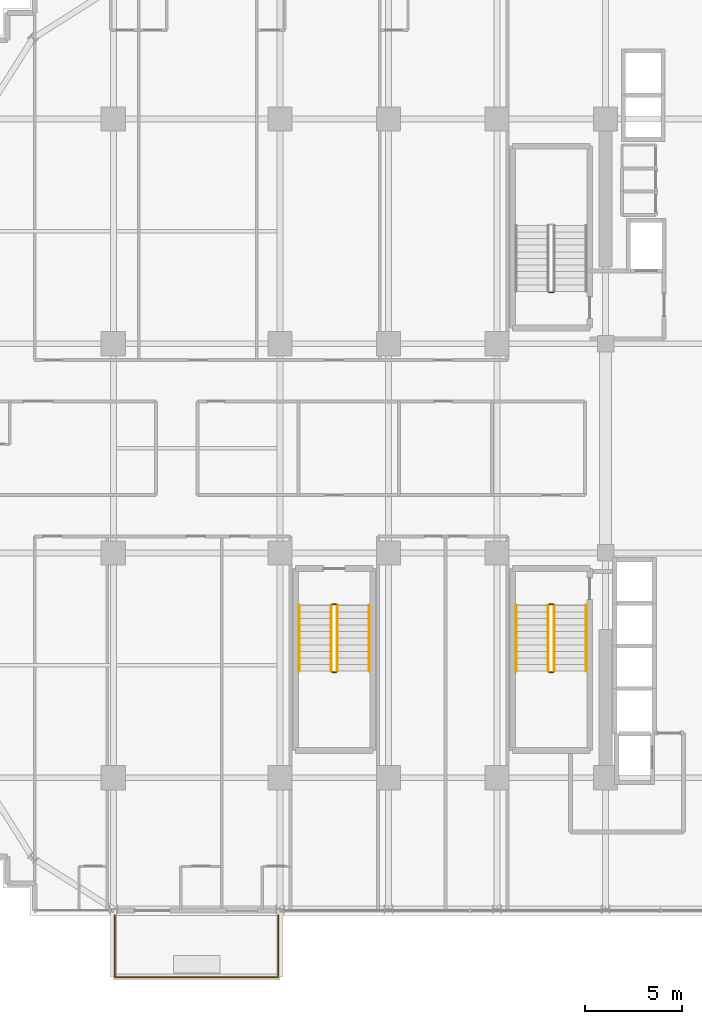
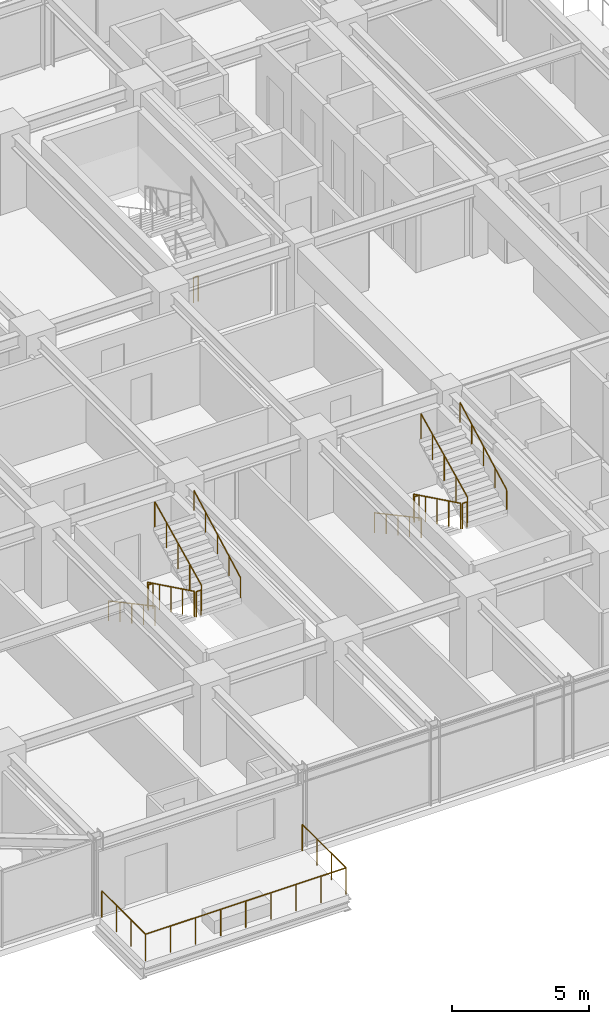
# One storey, part 31 of 33: 14 railings.
"""IFC4 building model written with IfcOpenShell, lengths in metres."""

import ifcopenshell
import ifcopenshell.guid

model = None  # the IFC model being written
_history = None  # IfcOwnerHistory: only IFC2X3 demands one
_inside = {}  # id of a spatial element -> (the spatial element, [elements in it])
_under = {}  # id of a project, library or spatial element -> (it, [spatial elements below it])
_declared = {}  # id of a project -> (the project, [libraries it declares])
_typed = {}  # id of a type object -> (the type object, [elements of that type])
_made_of = {}  # id of a material, layer set ... -> (it, [elements and type objects made of it])


def new_model(schema):
    """Start an empty IFC model of exactly this schema.

    Asked for "IFC4X3", IfcOpenShell would pick the latest addendum, in which some entities
    have other attributes; the version numbers below select the first issue.
    IFC2X3 requires an IfcOwnerHistory on every rooted entity: one is made here for all.
    """
    global model, _history
    if schema == "IFC4X3":
        model = ifcopenshell.file(schema_version=(4, 3, 0, 0))
    else:
        model = ifcopenshell.file(schema=schema)
    _inside.clear()
    _under.clear()
    _declared.clear()
    _typed.clear()
    _made_of.clear()
    _history = None
    if model.schema == "IFC2X3":
        org = make("IfcOrganization", Name="unknown")
        user = make(
            "IfcPersonAndOrganization",
            ThePerson=make("IfcPerson", FamilyName="unknown"),
            TheOrganization=org,
        )
        app = make(
            "IfcApplication",
            ApplicationDeveloper=org,
            Version="unknown",
            ApplicationFullName="unknown",
            ApplicationIdentifier="unknown",
        )
        _history = make(
            "IfcOwnerHistory",
            OwningUser=user,
            OwningApplication=app,
            ChangeAction="ADDED",
            CreationDate=0,
        )
    return model


def make(cls, **values):
    """One entity of the class cls with the attributes given. An attribute that is None is left unset."""
    return model.create_entity(
        cls, **{name: value for name, value in values.items() if value is not None}
    )


def rooted(cls, **values):
    """An entity with a GlobalId (a new one), such as an element, a storey or a relation."""
    return make(cls, GlobalId=ifcopenshell.guid.new(), OwnerHistory=_history, **values)


def si_unit(unit_type, name, prefix=None):
    """IfcSIUnit, for example si_unit("LENGTHUNIT", "METRE", prefix="MILLI")."""
    return make("IfcSIUnit", UnitType=unit_type, Prefix=prefix, Name=name)


def assignment(units):
    """IfcUnitAssignment: the units of a project."""
    return None if units is None else make("IfcUnitAssignment", Units=units)


def point(xyz):
    """IfcCartesianPoint."""
    return None if xyz is None else make("IfcCartesianPoint", Coordinates=xyz)


def direction(xyz):
    """IfcDirection."""
    return None if xyz is None else make("IfcDirection", DirectionRatios=xyz)


def frame(location, z_axis=None, x_axis=None):
    """IfcAxis2Placement3D, a coordinate frame: its origin and axes. An axis left out is left unset."""
    return make(
        "IfcAxis2Placement3D",
        Location=point(location),
        Axis=direction(z_axis),
        RefDirection=direction(x_axis),
    )


def frame_2d(location, x_axis=None):
    """IfcAxis2Placement2D, a coordinate frame in the plane: its origin and x axis."""
    return make(
        "IfcAxis2Placement2D", Location=point(location), RefDirection=direction(x_axis)
    )


def origin():
    """The frame at (0, 0, 0) with its axes left unset."""
    return frame((0.0, 0.0, 0.0))


def origin_2d():
    """The frame at (0, 0) in the plane with its x axis left unset."""
    return frame_2d((0.0, 0.0))


def place(relative_to, where):
    """IfcLocalPlacement: puts the frame where relative to a parent placement (None: the world)."""
    return make(
        "IfcLocalPlacement", PlacementRelTo=relative_to, RelativePlacement=where
    )


def context(
    kind, dimensions, precision=None, world=None, true_north=None, identifier=None
):
    """IfcGeometricRepresentationContext, for example the 3D "Model" context."""
    return make(
        "IfcGeometricRepresentationContext",
        ContextIdentifier=identifier,
        ContextType=kind,
        CoordinateSpaceDimension=dimensions,
        Precision=precision,
        WorldCoordinateSystem=world,
        TrueNorth=true_north,
    )


def subcontext(parent, identifier, kind, view, scale=None):
    """IfcGeometricRepresentationSubContext, for example "Body" below "Model"."""
    return make(
        "IfcGeometricRepresentationSubContext",
        ContextIdentifier=identifier,
        ContextType=kind,
        ParentContext=parent,
        TargetScale=scale,
        TargetView=view,
    )


def project(units=None, contexts=None):
    """IfcProject with its units and contexts."""
    return rooted(
        "IfcProject",
        Name="project",
        RepresentationContexts=contexts,
        UnitsInContext=assignment(units),
    )


def spatial(cls, under=None, at=None, **own):
    """A site, building, storey or space (cls), placed at a placement, below another one or the project."""
    s = rooted(cls, ObjectPlacement=at, **own)
    if under is not None:
        _under.setdefault(under.id(), (under, []))[1].append(s)
    return s


def profile(cls, at=None, kind="AREA", **sizes):
    """A parametric profile (cls). Its sizes go by their IFC names, for example OverallWidth=200.0."""
    return make(cls, ProfileType=kind, Position=at, **sizes)


def circle(**sizes):
    """IfcCircleProfileDef."""
    return profile("IfcCircleProfileDef", **sizes)


def extrude(swept, where, along, depth):
    """IfcExtrudedAreaSolid: the profile swept, set in the frame where, extruded along a direction by depth."""
    return make(
        "IfcExtrudedAreaSolid",
        SweptArea=swept,
        Position=where,
        ExtrudedDirection=direction(along),
        Depth=depth,
    )


def shape(context_of_items, identifier, shape_type, items):
    """IfcShapeRepresentation: the items that make up one representation, for example the "Body"."""
    return make(
        "IfcShapeRepresentation",
        ContextOfItems=context_of_items,
        RepresentationIdentifier=identifier,
        RepresentationType=shape_type,
        Items=items,
    )


def material(Name=None, Category=None):
    """IfcMaterial."""
    return make("IfcMaterial", Name=Name, Category=Category)


def made_of(thing, what):
    """Note that an element or type object is made of a material, layer set ...; save() writes the relation."""
    if what is not None:
        _made_of.setdefault(what.id(), (what, []))[1].append(thing)
    return thing


def type_object(cls, material=None, **own):
    """A type object (cls), such as IfcWallType, which elements share."""
    return made_of(rooted(cls, **own), material)


def element(
    cls,
    number,
    at=None,
    inside=None,
    cuts=None,
    type_object=None,
    material=None,
    context=None,
    identifier="Body",
    shape_type=None,
    held_by="IfcProductDefinitionShape",
    body=None,
    shapes=None,
    **own,
):
    """One element of the class cls, such as IfcWall. Its Tag is "e" and its number.

    at: its placement. inside: the storey or other place that contains it. cuts: it is an
    opening in that element (IfcRelVoidsElement). A single representation is given by context,
    identifier, shape_type and body (its items); several are given by shapes. held_by: the class
    of the entity that holds the representations. save() writes the other relations.
    """
    e = rooted(cls, Tag="e%d" % number, ObjectPlacement=at, **own)
    if body is not None:
        shapes = [shape(context, identifier, shape_type, body)]
    if shapes is not None:
        e.Representation = make(held_by, Representations=shapes)
    if inside is not None:
        _inside.setdefault(inside.id(), (inside, []))[1].append(e)
    if cuts is not None:
        rooted(
            "IfcRelVoidsElement", RelatingBuildingElement=cuts, RelatedOpeningElement=e
        )
    if type_object is not None:
        _typed.setdefault(type_object.id(), (type_object, []))[1].append(e)
    return made_of(e, material)


def aggregate(whole, parts):
    """IfcRelAggregates: a whole, such as a stair, and the parts it consists of."""
    return rooted("IfcRelAggregates", RelatingObject=whole, RelatedObjects=parts)


def save(model, path):
    """Write the relations noted so far, then the file.

    IfcRelAggregates (storeys below a building ...), IfcRelContainedInSpatialStructure (elements
    in a storey), IfcRelDefinesByType, IfcRelAssociatesMaterial and IfcRelDeclares: one each for
    every whole, place, type object, material and project.
    """
    for whole, parts in _under.values():
        aggregate(whole, parts)
    for where, things in _inside.values():
        rooted(
            "IfcRelContainedInSpatialStructure",
            RelatedElements=things,
            RelatingStructure=where,
        )
    for kind, things in _typed.values():
        rooted("IfcRelDefinesByType", RelatedObjects=things, RelatingType=kind)
    for what, things in _made_of.values():
        rooted("IfcRelAssociatesMaterial", RelatedObjects=things, RelatingMaterial=what)
    for by, libraries in _declared.values():
        rooted("IfcRelDeclares", RelatingContext=by, RelatedDefinitions=libraries)
    model.write(path)


model = new_model("IFC4")

# Units and contexts
model_context = context("Model", 3, precision=1e-05, world=origin(), true_north=direction((0.0, 1.0)))
body_context = subcontext(model_context, "Body", "Model", "MODEL_VIEW")
ifc_project = project(units=[si_unit("LENGTHUNIT", "METRE"), si_unit("AREAUNIT", "SQUARE_METRE"), si_unit("VOLUMEUNIT", "CUBIC_METRE"), si_unit("PLANEANGLEUNIT", "RADIAN"), si_unit("MASSUNIT", "GRAM", prefix="KILO")], contexts=[model_context])

# Site, building, storey
site_placement = place(None, origin())
site = spatial("IfcSite", under=ifc_project, at=site_placement, CompositionType="ELEMENT")
building_placement = place(site_placement, origin())
building = spatial("IfcBuilding", under=site, at=building_placement, Name="Nahalor Promenade Grand Hotel", CompositionType="ELEMENT")
storey_placement = place(building_placement, frame((0.0, 0.0, 132.10009765625)))
storey = spatial("IfcBuildingStorey", under=building, at=storey_placement, Name="L33", CompositionType="ELEMENT", Elevation=132.10009765625)

# Railings
ifc_material_1 = material(Name="Anodised Bronze Aluminium EN AW-6063 T6", Category="aluminium")
railing_type_1 = type_object("IfcRailingType", Name="Bronze Balcony Guardrail 1200 mm", PredefinedType="GUARDRAIL", material=ifc_material_1)
railing_1_placement = place(storey_placement, frame((-16.919921875, -24.10009765625, 0.0)))
element("IfcRailing", 1, at=railing_1_placement, inside=storey, type_object=railing_type_1, Name="L33 Balcony Guardrail 1", PredefinedType="GUARDRAIL", context=body_context, shape_type="SweptSolid", body=[
    extrude(circle(Radius=0.024048, at=origin_2d()), frame((0.0, 0.0, 1.17578125), z_axis=(0.0, -1.0, 0.0), x_axis=(1.0, 0.0, 0.0)), (0.0, 0.0, 1.0), 3.18798828125),
    extrude(circle(Radius=0.024048, at=origin_2d()), frame((0.001953125, -3.18994140625, 1.17578125), z_axis=(1.0, 0.0, 0.0), x_axis=(0.0, 1.0, 0.0)), (0.0, 0.0, 1.0), 8.43603515625),
    extrude(circle(Radius=0.024048, at=origin_2d()), frame((8.43994140625, -3.18798828125, 1.17578125), z_axis=(0.0, 1.0, 0.0), x_axis=(-1.0, 0.0, 0.0)), (0.0, 0.0, 1.0), 3.18798828125),
    extrude(circle(Radius=0.020996, at=origin_2d()), origin(), (0.0, 0.0, 1.0), 1.14990234375),
    extrude(circle(Radius=0.020996, at=origin_2d()), frame((0.0, -1.063232421875, 0.0)), (0.0, 0.0, 1.0), 1.14990234375),
    extrude(circle(Radius=0.020996, at=origin_2d()), frame((0.0, -2.126708984375, 0.0)), (0.0, 0.0, 1.0), 1.14990234375),
    extrude(circle(Radius=0.020996, at=origin_2d()), frame((0.0, -3.18994140625, 0.0)), (0.0, 0.0, 1.0), 1.14990234375),
    extrude(circle(Radius=0.020996, at=origin_2d()), frame((1.054931640625, -3.18994140625, 0.0)), (0.0, 0.0, 1.0), 1.14990234375),
    extrude(circle(Radius=0.020996, at=origin_2d()), frame((2.10986328125, -3.18994140625, 0.0)), (0.0, 0.0, 1.0), 1.14990234375),
    extrude(circle(Radius=0.020996, at=origin_2d()), frame((3.1650390625, -3.18994140625, 0.0)), (0.0, 0.0, 1.0), 1.14990234375),
    extrude(circle(Radius=0.020996, at=origin_2d()), frame((4.219970703125, -3.18994140625, 0.0)), (0.0, 0.0, 1.0), 1.14990234375),
    extrude(circle(Radius=0.020996, at=origin_2d()), frame((5.27490234375, -3.18994140625, 0.0)), (0.0, 0.0, 1.0), 1.14990234375),
    extrude(circle(Radius=0.020996, at=origin_2d()), frame((6.330078125, -3.18994140625, 0.0)), (0.0, 0.0, 1.0), 1.14990234375),
    extrude(circle(Radius=0.020996, at=origin_2d()), frame((7.385009765625, -3.18994140625, 0.0)), (0.0, 0.0, 1.0), 1.14990234375),
    extrude(circle(Radius=0.020996, at=origin_2d()), frame((8.43994140625, -3.18994140625, 0.0)), (0.0, 0.0, 1.0), 1.14990234375),
    extrude(circle(Radius=0.020996, at=origin_2d()), frame((8.43994140625, -2.126708984375, 0.0)), (0.0, 0.0, 1.0), 1.14990234375),
    extrude(circle(Radius=0.020996, at=origin_2d()), frame((8.43994140625, -1.063232421875, 0.0)), (0.0, 0.0, 1.0), 1.14990234375),
    extrude(circle(Radius=0.020996, at=origin_2d()), frame((8.43994140625, 0.0, 0.0)), (0.0, 0.0, 1.0), 1.14990234375),
])
ifc_material_2 = material(Name="Steel S355JR", Category="steel")
railing_type_2 = type_object("IfcRailingType", Name="Steel Stair Guardrail 1150 mm", PredefinedType="GUARDRAIL", material=ifc_material_2)
railing_2_placement = place(storey_placement, frame((5.699951171875, 8.050048828125, 0.0)))
element("IfcRailing", 2, at=railing_2_placement, inside=storey, type_object=railing_type_2, Name="L33 ST1 stair guard 4", PredefinedType="GUARDRAIL", context=body_context, shape_type="SweptSolid", body=[
    extrude(circle(Radius=0.024048, at=origin_2d()), frame((0.0, 0.0, 1.1259765625), z_axis=(-1.0, 0.0, 0.0), x_axis=(0.0, -1.0, 0.0)), (0.0, 0.0, 1.0), 0.199951171875),
    extrude(circle(Radius=0.020996, at=origin_2d()), origin(), (0.0, 0.0, 1.0), 1.099853515625),
    extrude(circle(Radius=0.020996, at=origin_2d()), frame((-0.199951171875, 0.0, 0.0)), (0.0, 0.0, 1.0), 1.099853515625),
])
railing_3_placement = place(storey_placement, frame((5.449951171875, -8.10009765625, 0.165771484375)))
element("IfcRailing", 3, at=railing_3_placement, inside=storey, type_object=railing_type_2, Name="L33 ST2 stair guard 1", PredefinedType="GUARDRAIL", context=body_context, shape_type="SweptSolid", body=[
    extrude(circle(Radius=0.024048, at=origin_2d()), frame((0.0, 0.0, 1.1259765625), z_axis=(0.0, -0.898696488221, 0.438571114028), x_axis=(1.0, 0.0, 0.0)), (0.0, 0.0, 1.0), 3.783203125),
    extrude(circle(Radius=0.020996, at=origin_2d()), origin(), (0.0, 0.0, 1.0), 1.099853515625),
    extrude(circle(Radius=0.020996, at=origin_2d()), frame((0.0, -0.85009765625, 0.414794921875)), (0.0, 0.0, 1.0), 1.099853515625),
    extrude(circle(Radius=0.020996, at=origin_2d()), frame((0.0, -1.699951171875, 0.82958984375)), (0.0, 0.0, 1.0), 1.099853515625),
    extrude(circle(Radius=0.020996, at=origin_2d()), frame((0.0, -2.5498046875, 1.244384765625)), (0.0, 0.0, 1.0), 1.099853515625),
    extrude(circle(Radius=0.020996, at=origin_2d()), frame((0.0, -3.39990234375, 1.6591796875)), (0.0, 0.0, 1.0), 1.099853515625),
])
railing_4_placement = place(storey_placement, frame((5.5, -11.550048828125, 1.824951171875)))
element("IfcRailing", 4, at=railing_4_placement, inside=storey, type_object=railing_type_2, Name="L33 ST2 stair guard 2", PredefinedType="GUARDRAIL", context=body_context, shape_type="SweptSolid", body=[
    extrude(circle(Radius=0.024048, at=origin_2d()), frame((0.0, 0.0, 1.1259765625), z_axis=(1.0, 0.0, 0.0), x_axis=(0.0, 1.0, 0.0)), (0.0, 0.0, 1.0), 0.199951171875),
    extrude(circle(Radius=0.020996, at=origin_2d()), origin(), (0.0, 0.0, 1.0), 1.099853515625),
    extrude(circle(Radius=0.020996, at=origin_2d()), frame((0.199951171875, 0.0, 0.0)), (0.0, 0.0, 1.0), 1.099853515625),
])
railing_5_placement = place(storey_placement, frame((5.75, -11.5, 1.99072265625)))
element("IfcRailing", 5, at=railing_5_placement, inside=storey, type_object=railing_type_2, Name="L33 ST2 stair guard 3", PredefinedType="GUARDRAIL", context=body_context, shape_type="SweptSolid", body=[
    extrude(circle(Radius=0.024048, at=origin_2d()), frame((0.0, 0.0, 1.1259765625), z_axis=(0.0, 0.898696488221, 0.438571114028), x_axis=(-1.0, 0.0, 0.0)), (0.0, 0.0, 1.0), 3.783203125),
    extrude(circle(Radius=0.020996, at=origin_2d()), origin(), (0.0, 0.0, 1.0), 1.099853515625),
    extrude(circle(Radius=0.020996, at=origin_2d()), frame((0.0, 0.85009765625, 0.414794921875)), (0.0, 0.0, 1.0), 1.099853515625),
    extrude(circle(Radius=0.020996, at=origin_2d()), frame((0.0, 1.699951171875, 0.82958984375)), (0.0, 0.0, 1.0), 1.099853515625),
    extrude(circle(Radius=0.020996, at=origin_2d()), frame((0.0, 2.5498046875, 1.244384765625)), (0.0, 0.0, 1.0), 1.099853515625),
    extrude(circle(Radius=0.020996, at=origin_2d()), frame((0.0, 3.39990234375, 1.6591796875)), (0.0, 0.0, 1.0), 1.099853515625),
])
railing_6_placement = place(storey_placement, frame((5.5, -8.050048828125, 0.0)))
element("IfcRailing", 6, at=railing_6_placement, inside=storey, type_object=railing_type_2, Name="L33 ST2 stair guard 4", PredefinedType="GUARDRAIL", context=body_context, shape_type="SweptSolid", body=[
    extrude(circle(Radius=0.024048, at=origin_2d()), frame((0.0, 0.0, 1.1259765625), z_axis=(1.0, 0.0, 0.0), x_axis=(0.0, 1.0, 0.0)), (0.0, 0.0, 1.0), 0.199951171875),
    extrude(circle(Radius=0.020996, at=origin_2d()), origin(), (0.0, 0.0, 1.0), 1.099853515625),
    extrude(circle(Radius=0.020996, at=origin_2d()), frame((0.199951171875, 0.0, 0.0)), (0.0, 0.0, 1.0), 1.099853515625),
])
railing_7_placement = place(storey_placement, frame((-5.75, -8.10009765625, 0.165771484375)))
element("IfcRailing", 7, at=railing_7_placement, inside=storey, type_object=railing_type_2, Name="L33 ST3 stair guard 1", PredefinedType="GUARDRAIL", context=body_context, shape_type="SweptSolid", body=[
    extrude(circle(Radius=0.024048, at=origin_2d()), frame((0.0, 0.0, 1.1259765625), z_axis=(0.0, -0.898696488221, 0.438571114028), x_axis=(1.0, 0.0, 0.0)), (0.0, 0.0, 1.0), 3.783203125),
    extrude(circle(Radius=0.020996, at=origin_2d()), origin(), (0.0, 0.0, 1.0), 1.099853515625),
    extrude(circle(Radius=0.020996, at=origin_2d()), frame((0.0, -0.85009765625, 0.414794921875)), (0.0, 0.0, 1.0), 1.099853515625),
    extrude(circle(Radius=0.020996, at=origin_2d()), frame((0.0, -1.699951171875, 0.82958984375)), (0.0, 0.0, 1.0), 1.099853515625),
    extrude(circle(Radius=0.020996, at=origin_2d()), frame((0.0, -2.5498046875, 1.244384765625)), (0.0, 0.0, 1.0), 1.099853515625),
    extrude(circle(Radius=0.020996, at=origin_2d()), frame((0.0, -3.39990234375, 1.6591796875)), (0.0, 0.0, 1.0), 1.099853515625),
])
railing_8_placement = place(storey_placement, frame((-5.699951171875, -11.550048828125, 1.824951171875)))
element("IfcRailing", 8, at=railing_8_placement, inside=storey, type_object=railing_type_2, Name="L33 ST3 stair guard 2", PredefinedType="GUARDRAIL", context=body_context, shape_type="SweptSolid", body=[
    extrude(circle(Radius=0.024048, at=origin_2d()), frame((0.0, 0.0, 1.1259765625), z_axis=(1.0, 0.0, 0.0), x_axis=(0.0, 1.0, 0.0)), (0.0, 0.0, 1.0), 0.199951171875),
    extrude(circle(Radius=0.020996, at=origin_2d()), origin(), (0.0, 0.0, 1.0), 1.099853515625),
    extrude(circle(Radius=0.020996, at=origin_2d()), frame((0.199951171875, 0.0, 0.0)), (0.0, 0.0, 1.0), 1.099853515625),
])
railing_9_placement = place(storey_placement, frame((-5.449951171875, -11.5, 1.99072265625)))
element("IfcRailing", 9, at=railing_9_placement, inside=storey, type_object=railing_type_2, Name="L33 ST3 stair guard 3", PredefinedType="GUARDRAIL", context=body_context, shape_type="SweptSolid", body=[
    extrude(circle(Radius=0.024048, at=origin_2d()), frame((0.0, 0.0, 1.1259765625), z_axis=(0.0, 0.898696488221, 0.438571114028), x_axis=(-1.0, 0.0, 0.0)), (0.0, 0.0, 1.0), 3.783203125),
    extrude(circle(Radius=0.020996, at=origin_2d()), origin(), (0.0, 0.0, 1.0), 1.099853515625),
    extrude(circle(Radius=0.020996, at=origin_2d()), frame((0.0, 0.85009765625, 0.414794921875)), (0.0, 0.0, 1.0), 1.099853515625),
    extrude(circle(Radius=0.020996, at=origin_2d()), frame((0.0, 1.699951171875, 0.82958984375)), (0.0, 0.0, 1.0), 1.099853515625),
    extrude(circle(Radius=0.020996, at=origin_2d()), frame((0.0, 2.5498046875, 1.244384765625)), (0.0, 0.0, 1.0), 1.099853515625),
    extrude(circle(Radius=0.020996, at=origin_2d()), frame((0.0, 3.39990234375, 1.6591796875)), (0.0, 0.0, 1.0), 1.099853515625),
])
railing_10_placement = place(storey_placement, frame((-5.699951171875, -8.050048828125, 0.0)))
element("IfcRailing", 10, at=railing_10_placement, inside=storey, type_object=railing_type_2, Name="L33 ST3 stair guard 4", PredefinedType="GUARDRAIL", context=body_context, shape_type="SweptSolid", body=[
    extrude(circle(Radius=0.024048, at=origin_2d()), frame((0.0, 0.0, 1.1259765625), z_axis=(1.0, 0.0, 0.0), x_axis=(0.0, 1.0, 0.0)), (0.0, 0.0, 1.0), 0.199951171875),
    extrude(circle(Radius=0.020996, at=origin_2d()), origin(), (0.0, 0.0, 1.0), 1.099853515625),
    extrude(circle(Radius=0.020996, at=origin_2d()), frame((0.199951171875, 0.0, 0.0)), (0.0, 0.0, 1.0), 1.099853515625),
])
railing_type_3 = type_object("IfcRailingType", Name="Steel Stair Handrail 900 mm", PredefinedType="HANDRAIL", material=ifc_material_2)
railing_11_placement = place(storey_placement, frame((3.800048828125, -8.10009765625, 0.165771484375)))
element("IfcRailing", 11, at=railing_11_placement, inside=storey, type_object=railing_type_3, Name="L33 ST2 stair handrail 1", PredefinedType="HANDRAIL", context=body_context, shape_type="SweptSolid", body=[
    extrude(circle(Radius=0.024048, at=origin_2d()), frame((0.0, 0.0, 0.8759765625), z_axis=(0.0, -0.881094038095, 0.47294111265), x_axis=(1.0, 0.0, 0.0)), (0.0, 0.0, 1.0), 3.858642578125),
    extrude(circle(Radius=0.020996, at=origin_2d()), origin(), (0.0, 0.0, 1.0), 0.849853515625),
    extrude(circle(Radius=0.020996, at=origin_2d()), frame((0.0, -0.85009765625, 0.456298828125)), (0.0, 0.0, 1.0), 0.849853515625),
    extrude(circle(Radius=0.020996, at=origin_2d()), frame((0.0, -1.699951171875, 0.91259765625)), (0.0, 0.0, 1.0), 0.849853515625),
    extrude(circle(Radius=0.020996, at=origin_2d()), frame((0.0, -2.5498046875, 1.36865234375)), (0.0, 0.0, 1.0), 0.849853515625),
    extrude(circle(Radius=0.020996, at=origin_2d()), frame((0.0, -3.39990234375, 1.824951171875)), (0.0, 0.0, 1.0), 0.849853515625),
])
railing_12_placement = place(storey_placement, frame((7.39990234375, -11.5, 1.99072265625)))
element("IfcRailing", 12, at=railing_12_placement, inside=storey, type_object=railing_type_3, Name="L33 ST2 stair handrail 2", PredefinedType="HANDRAIL", context=body_context, shape_type="SweptSolid", body=[
    extrude(circle(Radius=0.024048, at=origin_2d()), frame((0.0, 0.0, 0.8759765625), z_axis=(0.0, 0.881067672671, 0.472990228413), x_axis=(-1.0, 0.0, 0.0)), (0.0, 0.0, 1.0), 3.85888671875),
    extrude(circle(Radius=0.020996, at=origin_2d()), origin(), (0.0, 0.0, 1.0), 0.849853515625),
    extrude(circle(Radius=0.020996, at=origin_2d()), frame((0.0, 0.85009765625, 0.456298828125)), (0.0, 0.0, 1.0), 0.849853515625),
    extrude(circle(Radius=0.020996, at=origin_2d()), frame((0.0, 1.699951171875, 0.91259765625)), (0.0, 0.0, 1.0), 0.849853515625),
    extrude(circle(Radius=0.020996, at=origin_2d()), frame((0.0, 2.5498046875, 1.368896484375)), (0.0, 0.0, 1.0), 0.849853515625),
    extrude(circle(Radius=0.020996, at=origin_2d()), frame((0.0, 3.39990234375, 1.8251953125)), (0.0, 0.0, 1.0), 0.849853515625),
])
railing_13_placement = place(storey_placement, frame((-7.39990234375, -8.10009765625, 0.165771484375)))
element("IfcRailing", 13, at=railing_13_placement, inside=storey, type_object=railing_type_3, Name="L33 ST3 stair handrail 1", PredefinedType="HANDRAIL", context=body_context, shape_type="SweptSolid", body=[
    extrude(circle(Radius=0.024048, at=origin_2d()), frame((0.0, 0.0, 0.8759765625), z_axis=(0.0, -0.881094038095, 0.47294111265), x_axis=(1.0, 0.0, 0.0)), (0.0, 0.0, 1.0), 3.858642578125),
    extrude(circle(Radius=0.020996, at=origin_2d()), origin(), (0.0, 0.0, 1.0), 0.849853515625),
    extrude(circle(Radius=0.020996, at=origin_2d()), frame((0.0, -0.85009765625, 0.456298828125)), (0.0, 0.0, 1.0), 0.849853515625),
    extrude(circle(Radius=0.020996, at=origin_2d()), frame((0.0, -1.699951171875, 0.91259765625)), (0.0, 0.0, 1.0), 0.849853515625),
    extrude(circle(Radius=0.020996, at=origin_2d()), frame((0.0, -2.5498046875, 1.36865234375)), (0.0, 0.0, 1.0), 0.849853515625),
    extrude(circle(Radius=0.020996, at=origin_2d()), frame((0.0, -3.39990234375, 1.824951171875)), (0.0, 0.0, 1.0), 0.849853515625),
])
railing_14_placement = place(storey_placement, frame((-3.800048828125, -11.5, 1.99072265625)))
element("IfcRailing", 14, at=railing_14_placement, inside=storey, type_object=railing_type_3, Name="L33 ST3 stair handrail 2", PredefinedType="HANDRAIL", context=body_context, shape_type="SweptSolid", body=[
    extrude(circle(Radius=0.024048, at=origin_2d()), frame((0.0, 0.0, 0.8759765625), z_axis=(0.0, 0.881067672671, 0.472990228413), x_axis=(-1.0, 0.0, 0.0)), (0.0, 0.0, 1.0), 3.85888671875),
    extrude(circle(Radius=0.020996, at=origin_2d()), origin(), (0.0, 0.0, 1.0), 0.849853515625),
    extrude(circle(Radius=0.020996, at=origin_2d()), frame((0.0, 0.85009765625, 0.456298828125)), (0.0, 0.0, 1.0), 0.849853515625),
    extrude(circle(Radius=0.020996, at=origin_2d()), frame((0.0, 1.699951171875, 0.91259765625)), (0.0, 0.0, 1.0), 0.849853515625),
    extrude(circle(Radius=0.020996, at=origin_2d()), frame((0.0, 2.5498046875, 1.368896484375)), (0.0, 0.0, 1.0), 0.849853515625),
    extrude(circle(Radius=0.020996, at=origin_2d()), frame((0.0, 3.39990234375, 1.8251953125)), (0.0, 0.0, 1.0), 0.849853515625),
])

save(model, "model.ifc")
